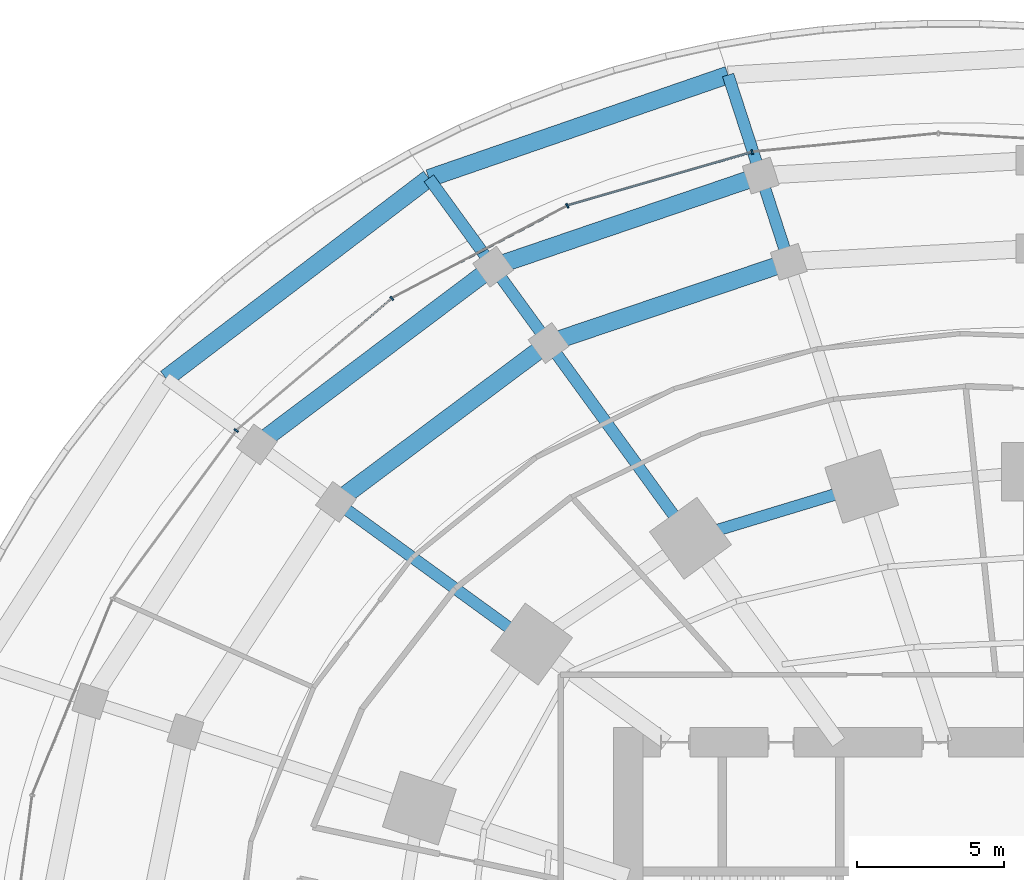
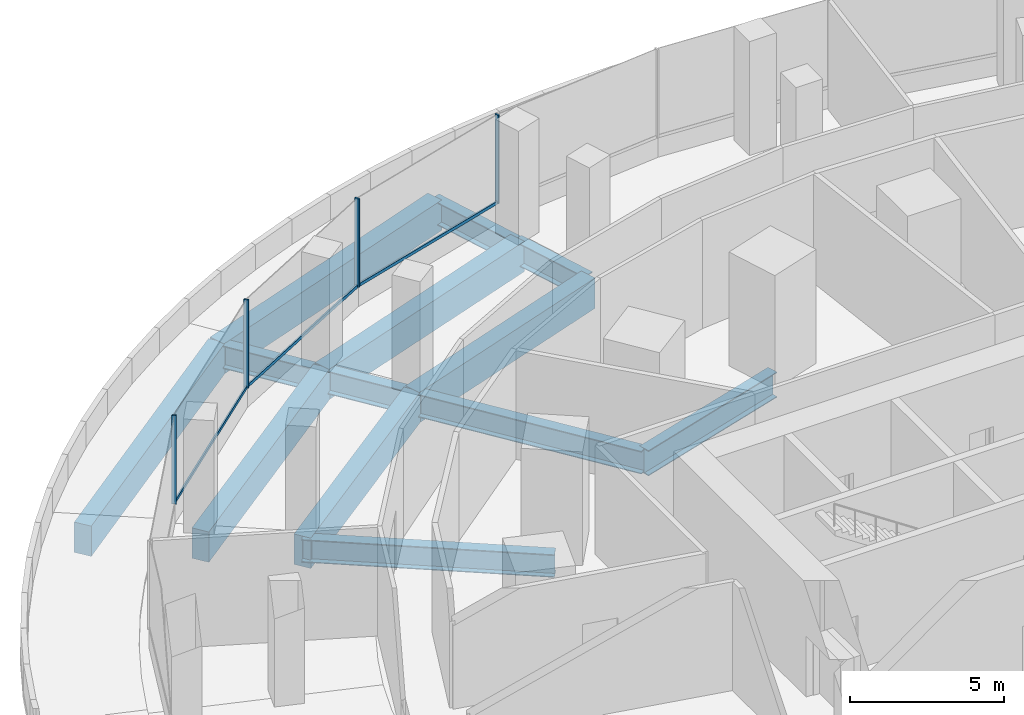
# One storey, part 10 of 27: 13 beams, 7 members, 2 elements without a shape of their own.
"""IFC4 building model written with IfcOpenShell, lengths in metres."""

from ifc_helpers import new_model, si_unit, direction, frame, origin, origin_2d, place, context, subcontext, project, spatial, rectangle, i_section, extrude, material, material_profile, profile_set, type_object, element, aggregate, save


model = new_model("IFC4")

# Units and contexts
model_context = context("Model", 3, precision=1e-05, world=origin(), true_north=direction((0.0, 1.0)))
body_context = subcontext(model_context, "Body", "Model", "MODEL_VIEW")
ifc_project = project(units=[si_unit("LENGTHUNIT", "METRE"), si_unit("AREAUNIT", "SQUARE_METRE"), si_unit("VOLUMEUNIT", "CUBIC_METRE"), si_unit("PLANEANGLEUNIT", "RADIAN"), si_unit("MASSUNIT", "GRAM", prefix="KILO")], contexts=[model_context])

# Site, building, storey
site_placement = place(None, origin())
site = spatial("IfcSite", under=ifc_project, at=site_placement, CompositionType="ELEMENT")
building_placement = place(site_placement, origin())
building = spatial("IfcBuilding", under=site, at=building_placement, Name="Marramba Exchange Tower", CompositionType="ELEMENT")
storey_placement = place(building_placement, frame((0.0, 0.0, 10.60009765625)))
storey = spatial("IfcBuildingStorey", under=building, at=storey_placement, Name="L02", CompositionType="ELEMENT", Elevation=10.60009765625)

# Beams
ifc_material_1 = material(Name="Concrete N50", Category="concrete")
ifc_material_profile_1 = material_profile(ifc_material_1, rectangle(XDim=0.60009765625, YDim=1.199951171875, at=origin_2d()), Name="RC 600x1200")
ifc_profile_set_1 = profile_set([ifc_material_profile_1], Name="Concrete N50")
beam_type_1 = type_object("IfcBeamType", Name="Edge beam RC 600x1200 N50", PredefinedType="SPANDREL", material=ifc_profile_set_1)
beam_1_placement = place(storey_placement, frame((-10.302001953125, 31.706298828125, -0.85009765625), z_axis=(-0.945263321131, -0.326308525364, 0.0), x_axis=(0.326308525364, -0.945263321131, 0.0)))
element("IfcBeam", 1, at=beam_1_placement, inside=storey, type_object=beam_type_1, Name="Edge beam L02 P1C07", PredefinedType="SPANDREL", context=body_context, shape_type="SweptSolid", body=[
    extrude(rectangle(XDim=0.60009765625, YDim=1.199951171875, at=origin_2d()), origin(), (0.0, 0.0, 1.0), 10.770263671875),
])
beam_2_placement = place(storey_placement, frame((-20.482666015625, 28.19189453125, -0.85009765625), z_axis=(-0.795801398517, -0.605557705027, 0.0), x_axis=(0.605557705027, -0.795801398517, 0.0)))
element("IfcBeam", 2, at=beam_2_placement, inside=storey, type_object=beam_type_1, Name="Edge beam L02 P1C08", PredefinedType="SPANDREL", context=body_context, shape_type="SweptSolid", body=[
    extrude(rectangle(XDim=0.60009765625, YDim=1.199951171875, at=origin_2d()), origin(), (0.0, 0.0, 1.0), 11.244384765625),
])
beam_3_placement = place(storey_placement, frame((-9.190185546875, 28.28466796875, -0.800048828125), z_axis=(-0.946485697002, -0.322745759649, 0.0), x_axis=(0.322745759649, -0.946485697002, 0.0)))
element("IfcBeam", 3, at=beam_3_placement, inside=storey, type_object=beam_type_1, Name="Edge beam L02 P2C07", PredefinedType="SPANDREL", context=body_context, shape_type="SweptSolid", body=[
    extrude(rectangle(XDim=0.60009765625, YDim=1.199951171875, at=origin_2d()), origin(), (0.0, 0.0, 1.0), 9.618896484375),
])
beam_4_placement = place(storey_placement, frame((-18.29443359375, 25.18017578125, -0.800048828125), z_axis=(-0.799014535073, -0.601311710132, 0.0), x_axis=(0.601311710132, -0.799014535073, 0.0)))
element("IfcBeam", 4, at=beam_4_placement, inside=storey, type_object=beam_type_1, Name="Edge beam L02 P2C08", PredefinedType="SPANDREL", context=body_context, shape_type="SweptSolid", body=[
    extrude(rectangle(XDim=0.60009765625, YDim=1.199951171875, at=origin_2d()), origin(), (0.0, 0.0, 1.0), 10.059326171875),
])
beam_5_placement = place(storey_placement, frame((-8.23583984375, 25.347412109375, -0.800048828125), z_axis=(-0.947330534482, -0.320257487715, 0.0), x_axis=(0.320257487715, -0.947330534482, 0.0)))
element("IfcBeam", 5, at=beam_5_placement, inside=storey, type_object=beam_type_1, Name="Edge beam L02 P3C07", PredefinedType="SPANDREL", context=body_context, shape_type="SweptSolid", body=[
    extrude(rectangle(XDim=0.60009765625, YDim=1.199951171875, at=origin_2d()), origin(), (0.0, 0.0, 1.0), 8.627197265625),
])
beam_6_placement = place(storey_placement, frame((-16.40869140625, 22.58447265625, -0.800048828125), z_axis=(-0.801143536075, -0.598472250489, 0.0), x_axis=(0.598472250489, -0.801143536075, 0.0)))
element("IfcBeam", 6, at=beam_6_placement, inside=storey, type_object=beam_type_1, Name="Edge beam L02 P3C08", PredefinedType="SPANDREL", context=body_context, shape_type="SweptSolid", body=[
    extrude(rectangle(XDim=0.60009765625, YDim=1.199951171875, at=origin_2d()), origin(), (0.0, 0.0, 1.0), 9.0322265625),
])

# Curtain wall, member
ifc_material_2 = material(Name="Aluminium framing, bronze anodised", Category="aluminium")
curtain_wall_type = type_object("IfcCurtainWallType", Name="Podium ribbon curtain wall", PredefinedType="USERDEFINED", material=ifc_material_2)
curtain_wall_1_placement = place(storey_placement, origin())
curtain_wall_1 = element("IfcCurtainWall", 7, at=curtain_wall_1_placement, inside=storey, type_object=curtain_wall_type, Name="Curtain wall CW2 L02 F06-F10", ObjectType="RIBBON CURTAIN WALL", PredefinedType="USERDEFINED")
ifc_material_3 = material(Name="Aluminium mullion, bronze anodised", Category="aluminium")
ifc_material_profile_2 = material_profile(ifc_material_3, rectangle(XDim=0.159912109375, YDim=0.06005859375, at=origin_2d()), Name="CW2 mullion 60x160")
ifc_profile_set_2 = profile_set([ifc_material_profile_2], Name="Aluminium mullion, bronze anodised")
member_type_1 = type_object("IfcMemberType", Name="Podium ribbon curtain wall mullion", PredefinedType="MULLION", material=ifc_profile_set_2)
member_1_placement = place(storey_placement, frame((-9.481689453125, 29.084716796875, 0.7998046875), z_axis=(0.0, 0.0, 1.0), x_axis=(0.278075301482, -0.96055927808, 0.0)))
member_1 = element("IfcMember", 8, at=member_1_placement, type_object=member_type_1, Name="CW2 mullion 1", PredefinedType="MULLION", context=body_context, shape_type="SweptSolid", body=[
    extrude(rectangle(XDim=0.159912109375, YDim=0.06005859375, at=origin_2d()), origin(), (0.0, 0.0, 1.0), 3.5),
])

# Curtain wall, members
curtain_wall_2_placement = place(storey_placement, origin())
curtain_wall_2 = element("IfcCurtainWall", 9, at=curtain_wall_2_placement, inside=storey, type_object=curtain_wall_type, Name="Curtain wall CW2 L02 F11-F15", ObjectType="RIBBON CURTAIN WALL", PredefinedType="USERDEFINED")
member_2_placement = place(storey_placement, frame((-15.771728515625, 27.25732421875, 0.7998046875), z_axis=(0.0, 0.0, 1.0), x_axis=(0.465930364021, -0.88482139208, 0.0)))
member_2 = element("IfcMember", 10, at=member_2_placement, type_object=member_type_1, Name="CW2 mullion 1", PredefinedType="MULLION", context=body_context, shape_type="SweptSolid", body=[
    extrude(rectangle(XDim=0.159912109375, YDim=0.06005859375, at=origin_2d()), origin(), (0.0, 0.0, 1.0), 3.5),
])
member_3_placement = place(storey_placement, frame((-21.744384765625, 24.10498046875, 0.7998046875), z_axis=(0.0, 0.0, 1.0), x_axis=(0.646819349814, -0.762643251269, 0.0)))
member_3 = element("IfcMember", 11, at=member_3_placement, type_object=member_type_1, Name="CW2 mullion 1", PredefinedType="MULLION", context=body_context, shape_type="SweptSolid", body=[
    extrude(rectangle(XDim=0.159912109375, YDim=0.06005859375, at=origin_2d()), origin(), (0.0, 0.0, 1.0), 3.5),
])
member_4_placement = place(storey_placement, frame((-27.037353515625, 19.606689453125, 0.7998046875), z_axis=(0.0, 0.0, 1.0), x_axis=(0.805102086738, -0.593136265904, 0.0)))
member_4 = element("IfcMember", 12, at=member_4_placement, type_object=member_type_1, Name="CW2 mullion 1", PredefinedType="MULLION", context=body_context, shape_type="SweptSolid", body=[
    extrude(rectangle(XDim=0.159912109375, YDim=0.06005859375, at=origin_2d()), origin(), (0.0, 0.0, 1.0), 3.5),
])

# Member
ifc_material_4 = material(Name="Aluminium transom, bronze anodised", Category="aluminium")
ifc_material_profile_3 = material_profile(ifc_material_4, rectangle(XDim=0.06005859375, YDim=0.1201171875, at=origin_2d()), Name="CW2 transom 60x120")
ifc_profile_set_3 = profile_set([ifc_material_profile_3], Name="Aluminium transom, bronze anodised")
member_type_2 = type_object("IfcMemberType", Name="Podium ribbon curtain wall transom", PredefinedType="USERDEFINED", material=ifc_profile_set_3)
member_5_placement = place(storey_placement, frame((-9.510498046875, 29.076171875, 0.829833984375), z_axis=(-0.960567172593, -0.27804802991, 0.0), x_axis=(0.27804802991, -0.960567172593, 0.0)))
member_5 = element("IfcMember", 13, at=member_5_placement, type_object=member_type_2, Name="CW2 sill transom", ObjectType="TRANSOM", PredefinedType="USERDEFINED", context=body_context, shape_type="SweptSolid", body=[
    extrude(rectangle(XDim=0.06005859375, YDim=0.1201171875, at=origin_2d()), origin(), (0.0, 0.0, 1.0), 6.490478515625),
])

aggregate(curtain_wall_1, [member_1, member_5])

member_6_placement = place(storey_placement, frame((-15.79833984375, 27.243408203125, 0.829833984375), z_axis=(-0.884820107241, -0.465932803978, 0.0), x_axis=(0.465932803978, -0.884820107241, 0.0)))
member_6 = element("IfcMember", 14, at=member_6_placement, type_object=member_type_2, Name="CW2 sill transom", ObjectType="TRANSOM", PredefinedType="USERDEFINED", context=body_context, shape_type="SweptSolid", body=[
    extrude(rectangle(XDim=0.06005859375, YDim=0.1201171875, at=origin_2d()), origin(), (0.0, 0.0, 1.0), 6.6943359375),
])

member_7_placement = place(storey_placement, frame((-21.767333984375, 24.08544921875, 0.829833984375), z_axis=(-0.762639488694, -0.646823786116, 0.0), x_axis=(0.646823786116, -0.762639488694, 0.0)))
member_7 = element("IfcMember", 15, at=member_7_placement, type_object=member_type_2, Name="CW2 sill transom", ObjectType="TRANSOM", PredefinedType="USERDEFINED", context=body_context, shape_type="SweptSolid", body=[
    extrude(rectangle(XDim=0.06005859375, YDim=0.1201171875, at=origin_2d()), origin(), (0.0, 0.0, 1.0), 6.886962890625),
])

aggregate(curtain_wall_2, [member_2, member_6, member_3, member_7, member_4])

# Beams
ifc_material_5 = material(Name="Steel AS/NZS 3679.2 grade 300", Category="steel")
ifc_material_profile_4 = material_profile(ifc_material_5, i_section(OverallWidth=0.39990234375, OverallDepth=0.89990234375, WebThickness=0.01611328125, FlangeThickness=0.031982421875, at=origin_2d()), Name="900WB282")
ifc_profile_set_4 = profile_set([ifc_material_profile_4], Name="Steel AS/NZS 3679.2 grade 300")
beam_type_2 = type_object("IfcBeamType", Name="Radial girder 900WB282", PredefinedType="BEAM", material=ifc_profile_set_4)
beam_7_placement = place(storey_placement, frame((-10.302001953125, 31.706298828125, -0.7001953125), z_axis=(0.309032367287, -0.951051521196, 0.0), x_axis=(0.951051521196, 0.309032367287, 0.0)))
element("IfcBeam", 16, at=beam_7_placement, inside=storey, type_object=beam_type_2, Name="Radial girder L02 P1C07", PredefinedType="BEAM", context=body_context, shape_type="SweptSolid", body=[
    extrude(i_section(OverallWidth=0.39990234375, OverallDepth=0.89990234375, WebThickness=0.01611328125, FlangeThickness=0.031982421875, at=origin_2d()), origin(), (0.0, 0.0, 1.0), 3.59765625),
])
beam_8_placement = place(storey_placement, frame((-20.482666015625, 28.19189453125, -0.7001953125), z_axis=(0.587801192771, -0.809005412699, 0.0), x_axis=(0.809005412699, 0.587801192771, 0.0)))
element("IfcBeam", 17, at=beam_8_placement, inside=storey, type_object=beam_type_2, Name="Radial girder L02 P1C08", PredefinedType="BEAM", context=body_context, shape_type="SweptSolid", body=[
    extrude(i_section(OverallWidth=0.39990234375, OverallDepth=0.89990234375, WebThickness=0.01611328125, FlangeThickness=0.031982421875, at=origin_2d()), origin(), (0.0, 0.0, 1.0), 3.72265625),
])
beam_9_placement = place(storey_placement, frame((-9.190185546875, 28.28466796875, -0.650146484375), z_axis=(0.309009210268, -0.951059045469, 0.0), x_axis=(0.951059045469, 0.309009210268, 0.0)))
element("IfcBeam", 18, at=beam_9_placement, inside=storey, type_object=beam_type_2, Name="Radial girder L02 P2C07", PredefinedType="BEAM", context=body_context, shape_type="SweptSolid", body=[
    extrude(i_section(OverallWidth=0.39990234375, OverallDepth=0.89990234375, WebThickness=0.01611328125, FlangeThickness=0.031982421875, at=origin_2d()), origin(), (0.0, 0.0, 1.0), 3.08837890625),
])
beam_10_placement = place(storey_placement, frame((-18.29443359375, 25.18017578125, -0.650146484375), z_axis=(0.587755361263, -0.809038710635, 0.0), x_axis=(0.809038710635, 0.587755361263, 0.0)))
element("IfcBeam", 19, at=beam_10_placement, inside=storey, type_object=beam_type_2, Name="Radial girder L02 P2C08", PredefinedType="BEAM", context=body_context, shape_type="SweptSolid", body=[
    extrude(i_section(OverallWidth=0.39990234375, OverallDepth=0.89990234375, WebThickness=0.01611328125, FlangeThickness=0.031982421875, at=origin_2d()), origin(), (0.0, 0.0, 1.0), 3.20849609375),
])
beam_11_placement = place(storey_placement, frame((-16.40869140625, 22.58447265625, -0.650146484375), z_axis=(0.587802211643, -0.809004672414, 0.0), x_axis=(0.809004672414, 0.587802211643, 0.0)))
element("IfcBeam", 20, at=beam_11_placement, inside=storey, type_object=beam_type_2, Name="Radial girder L02 P3C08", PredefinedType="BEAM", context=body_context, shape_type="SweptSolid", body=[
    extrude(i_section(OverallWidth=0.39990234375, OverallDepth=0.89990234375, WebThickness=0.01611328125, FlangeThickness=0.031982421875, at=origin_2d()), origin(), (0.0, 0.0, 1.0), 8.212646484375),
])
beam_12_placement = place(storey_placement, frame((-23.644775390625, 17.178955078125, -0.650146484375), z_axis=(0.80900920075, -0.587795979148, 0.0), x_axis=(0.587795979148, 0.80900920075, 0.0)))
element("IfcBeam", 21, at=beam_12_placement, inside=storey, type_object=beam_type_2, Name="Radial girder L02 P3C09", PredefinedType="BEAM", context=body_context, shape_type="SweptSolid", body=[
    extrude(i_section(OverallWidth=0.39990234375, OverallDepth=0.89990234375, WebThickness=0.01611328125, FlangeThickness=0.031982421875, at=origin_2d()), origin(), (0.0, 0.0, 1.0), 8.23095703125),
])
ifc_material_profile_5 = material_profile(ifc_material_5, i_section(OverallWidth=0.39990234375, OverallDepth=1.0, WebThickness=0.01611328125, FlangeThickness=0.031982421875, at=origin_2d()), Name="1000WB322")
ifc_profile_set_5 = profile_set([ifc_material_profile_5], Name="Steel AS/NZS 3679.2 grade 300")
beam_type_3 = type_object("IfcBeamType", Name="Ring beam 1000WB322", PredefinedType="SPANDREL", material=ifc_profile_set_5)
beam_13_placement = place(storey_placement, frame((-5.75390625, 17.70849609375, -0.7001953125), z_axis=(-0.956924542524, -0.290336735387, 0.0), x_axis=(0.290336735387, -0.956924542524, 0.0)))
element("IfcBeam", 22, at=beam_13_placement, inside=storey, type_object=beam_type_3, Name="Ring beam L02 TC07-TC08", PredefinedType="SPANDREL", context=body_context, shape_type="SweptSolid", body=[
    extrude(i_section(OverallWidth=0.39990234375, OverallDepth=1.0, WebThickness=0.01611328125, FlangeThickness=0.031982421875, at=origin_2d()), origin(), (0.0, 0.0, 1.0), 6.089599609375),
])

save(model, "model.ifc")
